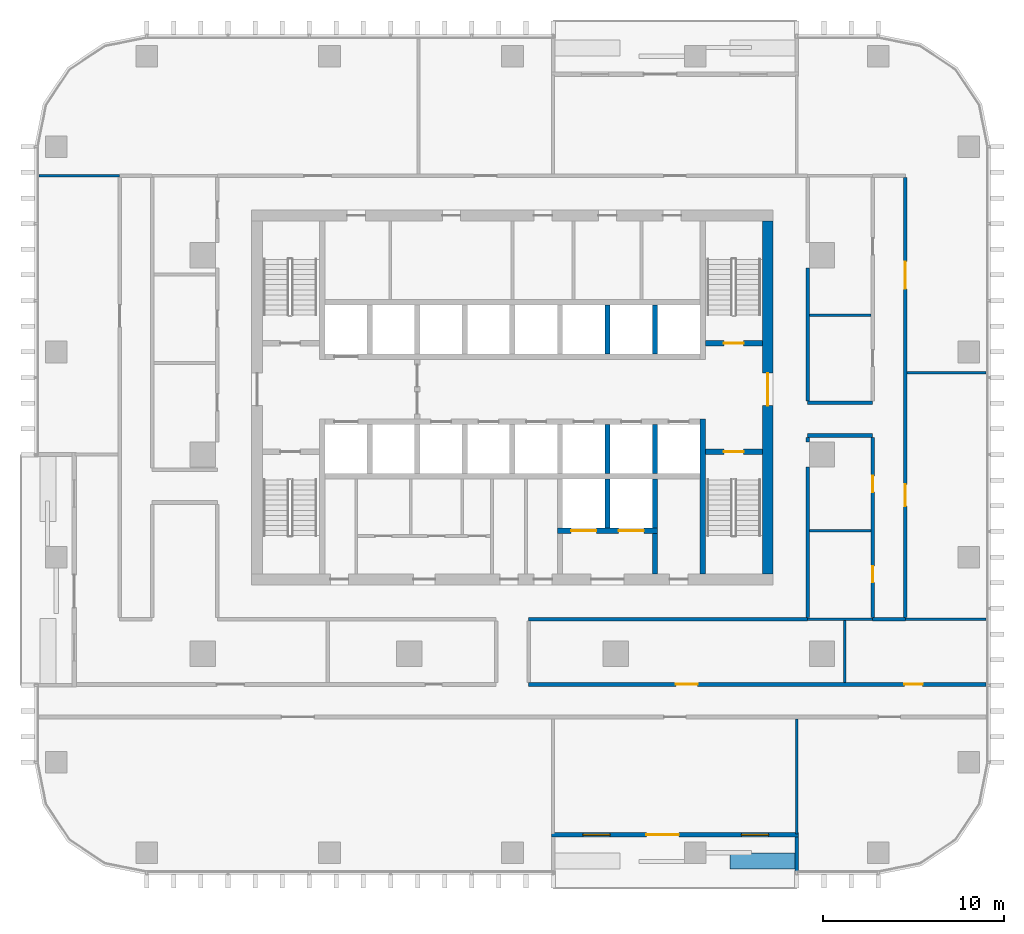
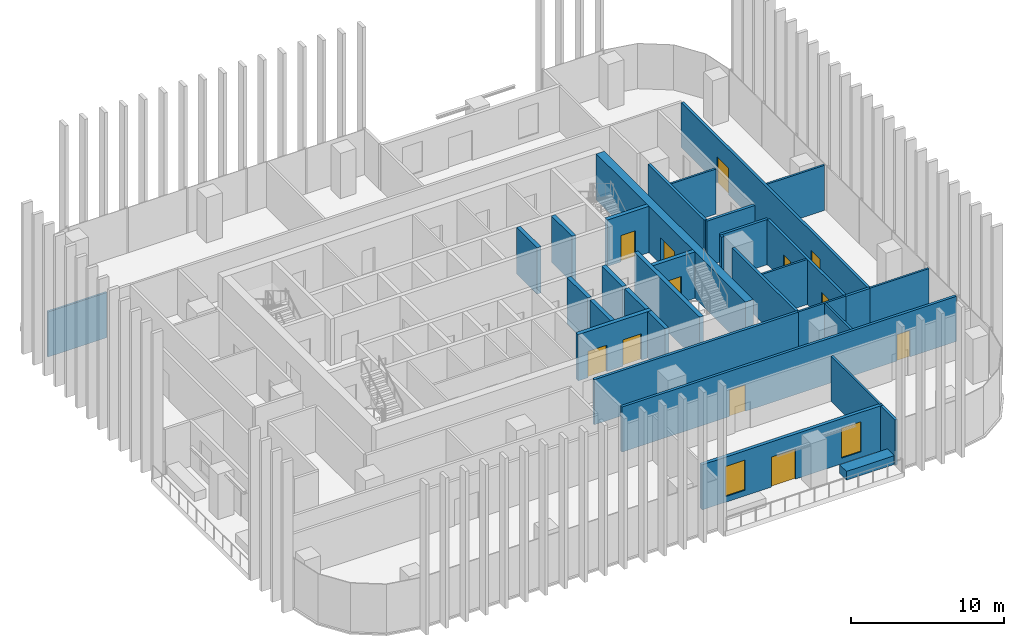
# One storey, part 9 of 16: 33 walls, 12 doors, 2 windows, 14 openings.
"""IFC4 building model written with IfcOpenShell, lengths in metres."""

from ifc_helpers import new_model, si_unit, direction, frame, frame_2d, origin, place, context, subcontext, project, spatial, rectangle, extrude, material, layer, layer_set, type_object, element, fill, save


model = new_model("IFC4")

# Units and contexts
model_context = context("Model", 3, precision=1e-05, world=origin(), true_north=direction((0.0, 1.0)))
body_context = subcontext(model_context, "Body", "Model", "MODEL_VIEW")
ifc_project = project(units=[si_unit("LENGTHUNIT", "METRE"), si_unit("AREAUNIT", "SQUARE_METRE"), si_unit("VOLUMEUNIT", "CUBIC_METRE"), si_unit("PLANEANGLEUNIT", "RADIAN"), si_unit("MASSUNIT", "GRAM", prefix="KILO")], contexts=[model_context])

# Site, building, storey
site_placement = place(None, origin())
site = spatial("IfcSite", under=ifc_project, at=site_placement, CompositionType="ELEMENT")
building_placement = place(site_placement, origin())
building = spatial("IfcBuilding", under=site, at=building_placement, Name="Mopane Tessera Tower", CompositionType="ELEMENT")
storey_placement = place(building_placement, frame((0.0, 0.0, 181.0)))
storey = spatial("IfcBuildingStorey", under=building, at=storey_placement, Name="L37", CompositionType="ELEMENT", Elevation=181.0)

# Wall, opening, door
ifc_material_1 = material(Name="Concrete C70/85", Category="concrete")
ifc_layer_1 = layer(ifc_material_1, 0.60009765625)
ifc_layer_set_1 = layer_set([ifc_layer_1], Name="Concrete C70/85")
wall_type_1 = type_object("IfcWallType", Name="Core shear wall 600 mm", PredefinedType="SHEAR", material=ifc_layer_set_1)
wall_1_placement = place(storey_placement, frame((14.10009765625, -6.60009765625, 0.0), z_axis=(0.0, 0.0, 1.0), x_axis=(0.0, 1.0, 0.0)))
wall_1 = element("IfcWall", 1, at=wall_1_placement, inside=storey, type_object=wall_type_1, Name="L37 Core wall east", PredefinedType="SHEAR", context=body_context, shape_type="SweptSolid", body=[
    extrude(rectangle(XDim=19.5, YDim=0.60009765625, at=frame_2d((9.75, 0.0))), origin(), (0.0, 0.0, 1.0), 3.699951171875),
])
opening_1_placement = place(wall_1_placement, frame((9.300048828125, 0.0, 0.0)))
opening_1 = element("IfcOpeningElement", 2, at=opening_1_placement, cuts=wall_1, Name="Opening SD2", PredefinedType="OPENING", context=body_context, shape_type="SweptSolid", body=[
    extrude(rectangle(XDim=1.800048828125, YDim=2.10009765625, at=frame_2d((0.89990234375, 1.050048828125))), frame((0.0, 0.31201171875, 0.0), z_axis=(0.0, -1.0, 0.0), x_axis=(1.0, 0.0, 0.0)), (0.0, 0.0, 1.0), 0.6240234375),
])
ifc_material_2 = material(Name="Steel fire door", Category="steel")
door_type_1 = type_object("IfcDoorType", Name="Core entrance double door 1800 x 2100", OperationType="DOUBLE_DOOR_SINGLE_SWING", PredefinedType="DOOR", material=ifc_material_2)
door_1_placement = place(opening_1_placement, origin())
door_1 = element("IfcDoor", 3, at=door_1_placement, inside=storey, type_object=door_type_1, Name="L37 Core entrance door east", OperationType="DOUBLE_DOOR_SINGLE_SWING", OverallHeight=2.10009765625, OverallWidth=1.800048828125, PredefinedType="DOOR", context=body_context, shape_type="SweptSolid", body=[
    extrude(rectangle(XDim=1.800048828125, YDim=2.10009765625, at=frame_2d((0.89990234375, 1.050048828125))), frame((0.0, 0.02490234375, 0.0), z_axis=(0.0, -1.0, 0.0), x_axis=(1.0, 0.0, 0.0)), (0.0, 0.0, 1.0), 0.050048828125),
])
fill(opening_1, door_1)

# Wall
ifc_material_3 = material(Name="Concrete C60/75", Category="concrete")
ifc_layer_2 = layer(ifc_material_3, 0.300048828125)
ifc_layer_set_2 = layer_set([ifc_layer_2], Name="Concrete C60/75")
wall_type_2 = type_object("IfcWallType", Name="Core spine wall 300 mm", PredefinedType="SHEAR", material=ifc_layer_set_2)
wall_2_placement = place(storey_placement, frame((10.5, -6.60009765625, 0.0), z_axis=(0.0, 0.0, 1.0), x_axis=(0.0, 1.0, 0.0)))
element("IfcWall", 4, at=wall_2_placement, inside=storey, type_object=wall_type_2, Name="L37 Core spine wall", PredefinedType="SHEAR", context=body_context, shape_type="SweptSolid", body=[
    extrude(rectangle(XDim=8.550048828125, YDim=0.300048828125, at=frame_2d((4.27490234375, 0.0))), origin(), (0.0, 0.0, 1.0), 3.699951171875),
])

# Wall, openings, doors
ifc_material_4 = material(Name="Gypsum board on steel studs, two layers each face, mineral wool infill", Category="steel")
ifc_layer_3 = layer(ifc_material_4, 0.199951171875)
ifc_layer_set_3 = layer_set([ifc_layer_3], Name="Gypsum board on steel studs, two layers each face, mineral wool infill")
wall_type_3 = type_object("IfcWallType", Name="Gypsum board corridor wall 200, rated EI 60", PredefinedType="PARTITIONING", material=ifc_layer_set_3)
wall_3_placement = place(storey_placement, frame((0.89990234375, -12.699951171875, 0.0), z_axis=(0.0, 0.0, 1.0), x_axis=(1.0, 0.0, 0.0)))
wall_3 = element("IfcWall", 5, at=wall_3_placement, inside=storey, type_object=wall_type_3, Name="Partition L37:002", PredefinedType="PARTITIONING", context=body_context, shape_type="SweptSolid", body=[
    extrude(rectangle(XDim=25.25, YDim=0.199951171875, at=frame_2d((12.625, 0.0))), origin(), (0.0, 0.0, 1.0), 3.60009765625),
])
opening_2_placement = place(wall_3_placement, frame((20.75, 0.0, 0.0)))
opening_2 = element("IfcOpeningElement", 6, at=opening_2_placement, cuts=wall_3, Name="Opening L37-09", PredefinedType="OPENING", context=body_context, shape_type="SweptSolid", body=[
    extrude(rectangle(XDim=1.0, YDim=2.10009765625, at=frame_2d((0.5, 1.050048828125))), frame((0.0, 0.112060546875, 0.0), z_axis=(0.0, -1.0, 0.0), x_axis=(1.0, 0.0, 0.0)), (0.0, 0.0, 1.0), 0.223876953125),
])
opening_3_placement = place(wall_3_placement, frame((8.125, 0.0, 0.0)))
opening_3 = element("IfcOpeningElement", 7, at=opening_3_placement, cuts=wall_3, Name="Opening L37-10", PredefinedType="OPENING", context=body_context, shape_type="SweptSolid", body=[
    extrude(rectangle(XDim=1.199951171875, YDim=2.10009765625, at=frame_2d((0.60009765625, 1.050048828125))), frame((0.0, 0.112060546875, 0.0), z_axis=(0.0, -1.0, 0.0), x_axis=(1.0, 0.0, 0.0)), (0.0, 0.0, 1.0), 0.223876953125),
])
ifc_material_5 = material(Name="Timber veneered steel-framed fire door", Category="steel")
door_type_2 = type_object("IfcDoorType", Name="Fire door FD60 1000 x 2100", OperationType="SINGLE_SWING_LEFT", PredefinedType="DOOR", material=ifc_material_5)
door_2_placement = place(opening_2_placement, origin())
door_2 = element("IfcDoor", 8, at=door_2_placement, inside=storey, type_object=door_type_2, Name="Door L37-09", ObjectType="D12A", OperationType="SINGLE_SWING_RIGHT", OverallHeight=2.10009765625, OverallWidth=1.0, PredefinedType="DOOR", context=body_context, shape_type="SweptSolid", body=[
    extrude(rectangle(XDim=1.0, YDim=2.10009765625, at=frame_2d((0.5, 1.050048828125))), frame((0.0, 0.02490234375, 0.0), z_axis=(0.0, -1.0, 0.0), x_axis=(1.0, 0.0, 0.0)), (0.0, 0.0, 1.0), 0.050048828125),
])
fill(opening_2, door_2)
ifc_material_6 = material(Name="Timber veneered steel-framed fire door", Category="steel")
door_type_3 = type_object("IfcDoorType", Name="Fire door FD60 1200 x 2100", OperationType="SINGLE_SWING_LEFT", PredefinedType="DOOR", material=ifc_material_6)
door_3_placement = place(opening_3_placement, origin())
door_3 = element("IfcDoor", 9, at=door_3_placement, inside=storey, type_object=door_type_3, Name="Door L37-10", ObjectType="D15A", OperationType="SINGLE_SWING_LEFT", OverallHeight=2.10009765625, OverallWidth=1.199951171875, PredefinedType="DOOR", context=body_context, shape_type="SweptSolid", body=[
    extrude(rectangle(XDim=1.199951171875, YDim=2.10009765625, at=frame_2d((0.60009765625, 1.050048828125))), frame((0.0, 0.02490234375, 0.0), z_axis=(0.0, -1.0, 0.0), x_axis=(1.0, 0.0, 0.0)), (0.0, 0.0, 1.0), 0.050048828125),
])
fill(opening_3, door_3)

# Walls
wall_4_placement = place(storey_placement, frame((0.89990234375, -9.10009765625, 0.0), z_axis=(0.0, 0.0, 1.0), x_axis=(1.0, 0.0, 0.0)))
element("IfcWall", 10, at=wall_4_placement, inside=storey, type_object=wall_type_3, Name="Partition L37:007", PredefinedType="PARTITIONING", context=body_context, shape_type="SweptSolid", body=[
    extrude(rectangle(XDim=15.400146484375, YDim=0.199951171875, at=frame_2d((7.7001953125, 0.0))), origin(), (0.0, 0.0, 1.0), 3.60009765625),
])
wall_5_placement = place(storey_placement, frame((19.89990234375, -9.10009765625, 0.0), z_axis=(0.0, 0.0, 1.0), x_axis=(1.0, 0.0, 0.0)))
element("IfcWall", 11, at=wall_5_placement, inside=storey, type_object=wall_type_3, Name="Partition L37:008", PredefinedType="PARTITIONING", context=body_context, shape_type="SweptSolid", body=[
    extrude(rectangle(XDim=1.800048828125, YDim=0.199951171875, at=frame_2d((0.89990234375, 0.0))), origin(), (0.0, 0.0, 1.0), 3.60009765625),
])
for number, where, z_axis, x_axis, name in (
    (12, (16.300048828125, 1.050048828125, 0.0), (0.0, 0.0, 1.0), (1.0, 0.0, 0.0), "Partition L37:013"),
    (13, (16.300048828125, 2.85009765625, 0.0), (0.0, 0.0, 1.0), (1.0, 0.0, 0.0), "Partition L37:014"),
):
    element("IfcWall", number, at=place(storey_placement, frame(where, z_axis=z_axis, x_axis=x_axis)), inside=storey, type_object=wall_type_3, Name=name, PredefinedType="PARTITIONING", context=body_context, shape_type="SweptSolid", body=[
        extrude(rectangle(XDim=3.599853515625, YDim=0.199951171875, at=frame_2d((1.7998046875, 0.0))), origin(), (0.0, 0.0, 1.0), 3.60009765625),
    ])
wall_6_placement = place(storey_placement, frame((16.300048828125, -9.0, 0.0), z_axis=(0.0, 0.0, 1.0), x_axis=(0.0, 1.0, 0.0)))
element("IfcWall", 14, at=wall_6_placement, inside=storey, type_object=wall_type_3, Name="Partition L37:039", PredefinedType="PARTITIONING", context=body_context, shape_type="SweptSolid", body=[
    extrude(rectangle(XDim=8.300048828125, YDim=0.199951171875, at=frame_2d((4.14990234375, 0.0))), origin(), (0.0, 0.0, 1.0), 3.60009765625),
])
wall_7_placement = place(storey_placement, frame((16.300048828125, 0.699951171875, 0.0), z_axis=(0.0, 0.0, 1.0), x_axis=(0.0, 1.0, 0.0)))
element("IfcWall", 15, at=wall_7_placement, inside=storey, type_object=wall_type_3, Name="Partition L37:040", PredefinedType="PARTITIONING", context=body_context, shape_type="SweptSolid", body=[
    extrude(rectangle(XDim=0.25, YDim=0.199951171875, at=frame_2d((0.125, 0.0))), origin(), (0.0, 0.0, 1.0), 3.60009765625),
])
wall_8_placement = place(storey_placement, frame((16.300048828125, 2.949951171875, 0.0), z_axis=(0.0, 0.0, 1.0), x_axis=(0.0, 1.0, 0.0)))
element("IfcWall", 16, at=wall_8_placement, inside=storey, type_object=wall_type_3, Name="Partition L37:041", PredefinedType="PARTITIONING", context=body_context, shape_type="SweptSolid", body=[
    extrude(rectangle(XDim=7.35009765625, YDim=0.199951171875, at=frame_2d((3.675048828125, 0.0))), origin(), (0.0, 0.0, 1.0), 3.60009765625),
])

# Wall, openings, doors
wall_9_placement = place(storey_placement, frame((19.89990234375, -9.0, 0.0), z_axis=(0.0, 0.0, 1.0), x_axis=(0.0, 1.0, 0.0)))
wall_9 = element("IfcWall", 17, at=wall_9_placement, inside=storey, type_object=wall_type_3, Name="Partition L37:044", PredefinedType="PARTITIONING", context=body_context, shape_type="SweptSolid", body=[
    extrude(rectangle(XDim=9.949951171875, YDim=0.199951171875, at=frame_2d((4.97509765625, 0.0))), origin(), (0.0, 0.0, 1.0), 3.60009765625),
])
opening_4_placement = place(wall_9_placement, frame((1.9423828125, 0.0, 0.0)))
opening_4 = element("IfcOpeningElement", 18, at=opening_4_placement, cuts=wall_9, Name="Opening L37-05", PredefinedType="OPENING", context=body_context, shape_type="SweptSolid", body=[
    extrude(rectangle(XDim=0.89990234375, YDim=2.10009765625, at=frame_2d((0.449951171875, 1.050048828125))), frame((0.0, 0.112060546875, 0.0), z_axis=(0.0, -1.0, 0.0), x_axis=(1.0, 0.0, 0.0)), (0.0, 0.0, 1.0), 0.223876953125),
])
opening_5_placement = place(wall_9_placement, frame((6.91748046875, 0.0, 0.0)))
opening_5 = element("IfcOpeningElement", 19, at=opening_5_placement, cuts=wall_9, Name="Opening L37-07", PredefinedType="OPENING", context=body_context, shape_type="SweptSolid", body=[
    extrude(rectangle(XDim=0.89990234375, YDim=2.10009765625, at=frame_2d((0.449951171875, 1.050048828125))), frame((0.0, 0.112060546875, 0.0), z_axis=(0.0, -1.0, 0.0), x_axis=(1.0, 0.0, 0.0)), (0.0, 0.0, 1.0), 0.223876953125),
])
ifc_material_7 = material(Name="Timber veneered steel-framed fire door", Category="steel")
door_type_4 = type_object("IfcDoorType", Name="Fire door FD60 900 x 2100", OperationType="SINGLE_SWING_LEFT", PredefinedType="DOOR", material=ifc_material_7)
door_4_placement = place(opening_4_placement, origin())
door_4 = element("IfcDoor", 20, at=door_4_placement, inside=storey, type_object=door_type_4, Name="Door L37-05", ObjectType="D10A", OperationType="SINGLE_SWING_RIGHT", OverallHeight=2.10009765625, OverallWidth=0.89990234375, PredefinedType="DOOR", context=body_context, shape_type="SweptSolid", body=[
    extrude(rectangle(XDim=0.89990234375, YDim=2.10009765625, at=frame_2d((0.449951171875, 1.050048828125))), frame((0.0, 0.02490234375, 0.0), z_axis=(0.0, -1.0, 0.0), x_axis=(1.0, 0.0, 0.0)), (0.0, 0.0, 1.0), 0.050048828125),
])
fill(opening_4, door_4)
door_5_placement = place(opening_5_placement, origin())
door_5 = element("IfcDoor", 21, at=door_5_placement, inside=storey, type_object=door_type_4, Name="Door L37-07", ObjectType="D10A", OperationType="SINGLE_SWING_RIGHT", OverallHeight=2.10009765625, OverallWidth=0.89990234375, PredefinedType="DOOR", context=body_context, shape_type="SweptSolid", body=[
    extrude(rectangle(XDim=0.89990234375, YDim=2.10009765625, at=frame_2d((0.449951171875, 1.050048828125))), frame((0.0, 0.02490234375, 0.0), z_axis=(0.0, -1.0, 0.0), x_axis=(1.0, 0.0, 0.0)), (0.0, 0.0, 1.0), 0.050048828125),
])
fill(opening_5, door_5)

wall_10_placement = place(storey_placement, frame((21.699951171875, -9.0, 0.0), z_axis=(0.0, 0.0, 1.0), x_axis=(0.0, 1.0, 0.0)))
wall_10 = element("IfcWall", 22, at=wall_10_placement, inside=storey, type_object=wall_type_3, Name="Partition L37:046", PredefinedType="PARTITIONING", context=body_context, shape_type="SweptSolid", body=[
    extrude(rectangle(XDim=24.300048828125, YDim=0.199951171875, at=frame_2d((12.14990234375, 0.0))), origin(), (0.0, 0.0, 1.0), 3.60009765625),
])
opening_6_placement = place(wall_10_placement, frame((18.155029296875, 0.0, 0.0)))
opening_6 = element("IfcOpeningElement", 23, at=opening_6_placement, cuts=wall_10, Name="Opening L37-02", PredefinedType="OPENING", context=body_context, shape_type="SweptSolid", body=[
    extrude(rectangle(XDim=1.5, YDim=2.10009765625, at=frame_2d((0.75, 1.050048828125))), frame((0.0, 0.112060546875, 0.0), z_axis=(0.0, -1.0, 0.0), x_axis=(1.0, 0.0, 0.0)), (0.0, 0.0, 1.0), 0.223876953125),
])
opening_7_placement = place(wall_10_placement, frame((6.155029296875, 0.0, 0.0)))
opening_7 = element("IfcOpeningElement", 24, at=opening_7_placement, cuts=wall_10, Name="Opening L37-16", PredefinedType="OPENING", context=body_context, shape_type="SweptSolid", body=[
    extrude(rectangle(XDim=1.199951171875, YDim=2.10009765625, at=frame_2d((0.60009765625, 1.050048828125))), frame((0.0, 0.112060546875, 0.0), z_axis=(0.0, -1.0, 0.0), x_axis=(1.0, 0.0, 0.0)), (0.0, 0.0, 1.0), 0.223876953125),
])
door_6_placement = place(opening_7_placement, origin())
door_6 = element("IfcDoor", 25, at=door_6_placement, inside=storey, type_object=door_type_3, Name="Door L37-16", ObjectType="D15A", OperationType="SINGLE_SWING_RIGHT", OverallHeight=2.10009765625, OverallWidth=1.199951171875, PredefinedType="DOOR", context=body_context, shape_type="SweptSolid", body=[
    extrude(rectangle(XDim=1.199951171875, YDim=2.10009765625, at=frame_2d((0.60009765625, 1.050048828125))), frame((0.0, 0.02490234375, 0.0), z_axis=(0.0, -1.0, 0.0), x_axis=(1.0, 0.0, 0.0)), (0.0, 0.0, 1.0), 0.050048828125),
])
fill(opening_7, door_6)
ifc_material_8 = material(Name="Timber veneered steel-framed fire door", Category="steel")
door_type_5 = type_object("IfcDoorType", Name="Fire door pair FD60 1500 x 2100", OperationType="DOUBLE_DOOR_SINGLE_SWING", PredefinedType="DOOR", material=ifc_material_8)
door_7_placement = place(opening_6_placement, origin())
door_7 = element("IfcDoor", 26, at=door_7_placement, inside=storey, type_object=door_type_5, Name="Door L37-02", ObjectType="D17A", OperationType="DOUBLE_DOOR_SINGLE_SWING", OverallHeight=2.10009765625, OverallWidth=1.5, PredefinedType="DOOR", context=body_context, shape_type="SweptSolid", body=[
    extrude(rectangle(XDim=1.5, YDim=2.10009765625, at=frame_2d((0.75, 1.050048828125))), frame((0.0, 0.02490234375, 0.0), z_axis=(0.0, -1.0, 0.0), x_axis=(1.0, 0.0, 0.0)), (0.0, 0.0, 1.0), 0.050048828125),
])
fill(opening_6, door_7)

# Walls
ifc_material_9 = material(Name="Gypsum board on steel studs, mineral wool infill", Category="steel")
ifc_layer_4 = layer(ifc_material_9, 0.14990234375)
ifc_layer_set_4 = layer_set([ifc_layer_4], Name="Gypsum board on steel studs, mineral wool infill")
wall_type_4 = type_object("IfcWallType", Name="Gypsum board partition 150, rated EI 60", PredefinedType="PARTITIONING", material=ifc_layer_set_4)
wall_11_placement = place(storey_placement, frame((16.300048828125, -9.10009765625, 0.0), z_axis=(0.0, 0.0, 1.0), x_axis=(1.0, 0.0, 0.0)))
element("IfcWall", 27, at=wall_11_placement, inside=storey, type_object=wall_type_4, Name="Partition L37:003", PredefinedType="PARTITIONING", context=body_context, shape_type="SweptSolid", body=[
    extrude(rectangle(XDim=3.599853515625, YDim=0.14990234375, at=frame_2d((1.7998046875, 0.0))), origin(), (0.0, 0.0, 1.0), 3.60009765625),
])
wall_12_placement = place(storey_placement, frame((21.699951171875, -9.10009765625, 0.0), z_axis=(0.0, 0.0, 1.0), x_axis=(1.0, 0.0, 0.0)))
element("IfcWall", 28, at=wall_12_placement, inside=storey, type_object=wall_type_4, Name="Partition L37:004", PredefinedType="PARTITIONING", context=body_context, shape_type="SweptSolid", body=[
    extrude(rectangle(XDim=4.449951171875, YDim=0.14990234375, at=frame_2d((2.22509765625, 0.0))), origin(), (0.0, 0.0, 1.0), 3.60009765625),
])
wall_13_placement = place(storey_placement, frame((16.39990234375, -4.215087890625, 0.0), z_axis=(0.0, 0.0, 1.0), x_axis=(1.0, 0.0, 0.0)))
element("IfcWall", 29, at=wall_13_placement, inside=storey, type_object=wall_type_4, Name="Partition L37:009", PredefinedType="PARTITIONING", context=body_context, shape_type="SweptSolid", body=[
    extrude(rectangle(XDim=3.400146484375, YDim=0.14990234375, at=frame_2d((1.7001953125, 0.0))), origin(), (0.0, 0.0, 1.0), 3.60009765625),
])
wall_14_placement = place(storey_placement, frame((21.800048828125, 4.510009765625, 0.0), z_axis=(0.0, 0.0, 1.0), x_axis=(1.0, 0.0, 0.0)))
element("IfcWall", 30, at=wall_14_placement, inside=storey, type_object=wall_type_4, Name="Partition L37:015", PredefinedType="PARTITIONING", context=body_context, shape_type="SweptSolid", body=[
    extrude(rectangle(XDim=4.349853515625, YDim=0.14990234375, at=frame_2d((2.1748046875, 0.0))), origin(), (0.0, 0.0, 1.0), 3.60009765625),
])
wall_15_placement = place(storey_placement, frame((16.39990234375, 7.68505859375, 0.0), z_axis=(0.0, 0.0, 1.0), x_axis=(1.0, 0.0, 0.0)))
element("IfcWall", 31, at=wall_15_placement, inside=storey, type_object=wall_type_4, Name="Partition L37:017", PredefinedType="PARTITIONING", context=body_context, shape_type="SweptSolid", body=[
    extrude(rectangle(XDim=3.400146484375, YDim=0.14990234375, at=frame_2d((1.7001953125, 0.0))), origin(), (0.0, 0.0, 1.0), 3.60009765625),
])
wall_16_placement = place(storey_placement, frame((-26.14990234375, 15.39990234375, 0.0), z_axis=(0.0, 0.0, 1.0), x_axis=(1.0, 0.0, 0.0)))
element("IfcWall", 32, at=wall_16_placement, inside=storey, type_object=wall_type_4, Name="Partition L37:019", PredefinedType="PARTITIONING", context=body_context, shape_type="SweptSolid", body=[
    extrude(rectangle(XDim=4.449951171875, YDim=0.14990234375, at=frame_2d((2.22509765625, 0.0))), origin(), (0.0, 0.0, 1.0), 3.60009765625),
])
wall_17_placement = place(storey_placement, frame((15.7099609375, -20.949951171875, 0.0), z_axis=(0.0, 0.0, 1.0), x_axis=(0.0, 1.0, 0.0)))
element("IfcWall", 33, at=wall_17_placement, inside=storey, type_object=wall_type_4, Name="Partition L37:037", PredefinedType="PARTITIONING", context=body_context, shape_type="SweptSolid", body=[
    extrude(rectangle(XDim=6.349853515625, YDim=0.14990234375, at=frame_2d((3.1748046875, 0.0))), origin(), (0.0, 0.0, 1.0), 3.60009765625),
])
wall_18_placement = place(storey_placement, frame((18.35009765625, -12.60009765625, 0.0), z_axis=(0.0, 0.0, 1.0), x_axis=(0.0, 1.0, 0.0)))
element("IfcWall", 34, at=wall_18_placement, inside=storey, type_object=wall_type_4, Name="Partition L37:043", PredefinedType="PARTITIONING", context=body_context, shape_type="SweptSolid", body=[
    extrude(rectangle(XDim=3.425048828125, YDim=0.14990234375, at=frame_2d((1.71240234375, 0.0))), origin(), (0.0, 0.0, 1.0), 3.60009765625),
])

# Wall, opening, door
ifc_material_10 = material(Name="Concrete C50/60", Category="concrete")
ifc_layer_5 = layer(ifc_material_10, 0.300048828125)
ifc_layer_set_5 = layer_set([ifc_layer_5], Name="Concrete C50/60")
wall_type_5 = type_object("IfcWallType", Name="Lift and stair shaft wall 300 mm", PredefinedType="SOLIDWALL", material=ifc_layer_set_5)
wall_19_placement = place(storey_placement, frame((10.64990234375, 0.14990234375, 0.0), z_axis=(0.0, 0.0, 1.0), x_axis=(1.0, 0.0, 0.0)))
wall_19 = element("IfcWall", 35, at=wall_19_placement, inside=storey, type_object=wall_type_5, Name="L37 Stair enclosure wall", PredefinedType="SOLIDWALL", context=body_context, shape_type="SweptSolid", body=[
    extrude(rectangle(XDim=3.150146484375, YDim=0.300048828125, at=frame_2d((1.5751953125, 0.0))), origin(), (0.0, 0.0, 1.0), 3.699951171875),
])
opening_8_placement = place(wall_19_placement, frame((1.02490234375, 0.0, 0.0)))
opening_8 = element("IfcOpeningElement", 36, at=opening_8_placement, cuts=wall_19, Name="Opening SD1", PredefinedType="OPENING", context=body_context, shape_type="SweptSolid", body=[
    extrude(rectangle(XDim=1.10009765625, YDim=2.10009765625, at=frame_2d((0.550048828125, 1.050048828125))), frame((0.0, 0.162109375, 0.0), z_axis=(0.0, -1.0, 0.0), x_axis=(1.0, 0.0, 0.0)), (0.0, 0.0, 1.0), 0.323974609375),
])
ifc_material_11 = material(Name="Steel fire door", Category="steel")
door_type_6 = type_object("IfcDoorType", Name="Stair fire door 1100 x 2100", OperationType="SINGLE_SWING_LEFT", PredefinedType="DOOR", material=ifc_material_11)
door_8_placement = place(opening_8_placement, origin())
door_8 = element("IfcDoor", 37, at=door_8_placement, inside=storey, type_object=door_type_6, Name="L37 Stair door ST3", OperationType="SINGLE_SWING_RIGHT", OverallHeight=2.10009765625, OverallWidth=1.10009765625, PredefinedType="DOOR", context=body_context, shape_type="SweptSolid", body=[
    extrude(rectangle(XDim=1.10009765625, YDim=2.10009765625, at=frame_2d((0.550048828125, 1.050048828125))), frame((0.0, 0.02490234375, 0.0), z_axis=(0.0, -1.0, 0.0), x_axis=(1.0, 0.0, 0.0)), (0.0, 0.0, 1.0), 0.050048828125),
])
fill(opening_8, door_8)

wall_20_placement = place(storey_placement, frame((10.64990234375, 6.14990234375, 0.0), z_axis=(0.0, 0.0, 1.0), x_axis=(1.0, 0.0, 0.0)))
wall_20 = element("IfcWall", 38, at=wall_20_placement, inside=storey, type_object=wall_type_5, Name="L37 Stair enclosure wall", PredefinedType="SOLIDWALL", context=body_context, shape_type="SweptSolid", body=[
    extrude(rectangle(XDim=3.150146484375, YDim=0.300048828125, at=frame_2d((1.5751953125, 0.0))), origin(), (0.0, 0.0, 1.0), 3.699951171875),
])
opening_9_placement = place(wall_20_placement, frame((1.02490234375, 0.0, 0.0)))
opening_9 = element("IfcOpeningElement", 39, at=opening_9_placement, cuts=wall_20, Name="Opening SD1", PredefinedType="OPENING", context=body_context, shape_type="SweptSolid", body=[
    extrude(rectangle(XDim=1.10009765625, YDim=2.10009765625, at=frame_2d((0.550048828125, 1.050048828125))), frame((0.0, 0.162109375, 0.0), z_axis=(0.0, -1.0, 0.0), x_axis=(1.0, 0.0, 0.0)), (0.0, 0.0, 1.0), 0.323974609375),
])
door_9_placement = place(opening_9_placement, origin())
door_9 = element("IfcDoor", 40, at=door_9_placement, inside=storey, type_object=door_type_6, Name="L37 Stair door ST4", OperationType="SINGLE_SWING_RIGHT", OverallHeight=2.10009765625, OverallWidth=1.10009765625, PredefinedType="DOOR", context=body_context, shape_type="SweptSolid", body=[
    extrude(rectangle(XDim=1.10009765625, YDim=2.10009765625, at=frame_2d((0.550048828125, 1.050048828125))), frame((0.0, 0.02490234375, 0.0), z_axis=(0.0, -1.0, 0.0), x_axis=(1.0, 0.0, 0.0)), (0.0, 0.0, 1.0), 0.050048828125),
])
fill(opening_9, door_9)

# Walls
for number, where, z_axis, x_axis, name in (
    (41, (5.25, -1.050048828125, 0.0), (0.0, 0.0, 1.0), (0.0, 1.0, 0.0), "L37 Lift shaft wall"),
    (42, (7.875, -1.050048828125, 0.0), (0.0, 0.0, 1.0), (0.0, 1.0, 0.0), "L37 Lift shaft wall"),
    (43, (5.25, 5.550048828125, 0.0), (0.0, 0.0, 1.0), (0.0, 1.0, 0.0), "L37 Lift shaft wall"),
    (44, (7.875, 5.550048828125, 0.0), (0.0, 0.0, 1.0), (0.0, 1.0, 0.0), "L37 Lift shaft wall"),
):
    element("IfcWall", number, at=place(storey_placement, frame(where, z_axis=z_axis, x_axis=x_axis)), inside=storey, type_object=wall_type_5, Name=name, PredefinedType="SOLIDWALL", context=body_context, shape_type="SweptSolid", body=[
        extrude(rectangle(XDim=2.699951171875, YDim=0.300048828125, at=frame_2d((1.35009765625, 0.0))), origin(), (0.0, 0.0, 1.0), 3.699951171875),
    ])

# Wall, openings, doors
wall_21_placement = place(storey_placement, frame((2.47509765625, -4.199951171875, 0.0), z_axis=(0.0, 0.0, 1.0), x_axis=(1.0, 0.0, 0.0)))
wall_21 = element("IfcWall", 45, at=wall_21_placement, inside=storey, type_object=wall_type_5, Name="L37 Lift shaft front wall", PredefinedType="SOLIDWALL", context=body_context, shape_type="SweptSolid", body=[
    extrude(rectangle(XDim=5.5498046875, YDim=0.300048828125, at=frame_2d((2.77490234375, 0.0))), origin(), (0.0, 0.0, 1.0), 3.699951171875),
])
opening_10_placement = place(wall_21_placement, frame((0.762451171875, 0.0, 0.0)))
opening_10 = element("IfcOpeningElement", 46, at=opening_10_placement, cuts=wall_21, Name="Opening LD3", PredefinedType="OPENING", context=body_context, shape_type="SweptSolid", body=[
    extrude(rectangle(XDim=1.39990234375, YDim=2.10009765625, at=frame_2d((0.699951171875, 1.050048828125))), frame((0.0, 0.162109375, 0.0), z_axis=(0.0, -1.0, 0.0), x_axis=(1.0, 0.0, 0.0)), (0.0, 0.0, 1.0), 0.323974609375),
])
opening_11_placement = place(wall_21_placement, frame((3.387451171875, 0.0, 0.0)))
opening_11 = element("IfcOpeningElement", 47, at=opening_11_placement, cuts=wall_21, Name="Opening LD3", PredefinedType="OPENING", context=body_context, shape_type="SweptSolid", body=[
    extrude(rectangle(XDim=1.39990234375, YDim=2.10009765625, at=frame_2d((0.699951171875, 1.050048828125))), frame((0.0, 0.162109375, 0.0), z_axis=(0.0, -1.0, 0.0), x_axis=(1.0, 0.0, 0.0)), (0.0, 0.0, 1.0), 0.323974609375),
])
ifc_material_12 = material(Name="Stainless steel sliding door", Category="steel")
door_type_7 = type_object("IfcDoorType", Name="Service lift landing door 1400 x 2100", OperationType="DOUBLE_DOOR_SLIDING", PredefinedType="DOOR", material=ifc_material_12)
door_10_placement = place(opening_10_placement, origin())
door_10 = element("IfcDoor", 48, at=door_10_placement, inside=storey, type_object=door_type_7, Name="L37 Lift landing door SV1", OperationType="DOUBLE_DOOR_SLIDING", OverallHeight=2.10009765625, OverallWidth=1.39990234375, PredefinedType="DOOR", context=body_context, shape_type="SweptSolid", body=[
    extrude(rectangle(XDim=1.39990234375, YDim=2.10009765625, at=frame_2d((0.699951171875, 1.050048828125))), frame((0.0, 0.02490234375, 0.0), z_axis=(0.0, -1.0, 0.0), x_axis=(1.0, 0.0, 0.0)), (0.0, 0.0, 1.0), 0.050048828125),
])
fill(opening_10, door_10)
door_11_placement = place(opening_11_placement, origin())
door_11 = element("IfcDoor", 49, at=door_11_placement, inside=storey, type_object=door_type_7, Name="L37 Lift landing door SV2", OperationType="DOUBLE_DOOR_SLIDING", OverallHeight=2.10009765625, OverallWidth=1.39990234375, PredefinedType="DOOR", context=body_context, shape_type="SweptSolid", body=[
    extrude(rectangle(XDim=1.39990234375, YDim=2.10009765625, at=frame_2d((0.699951171875, 1.050048828125))), frame((0.0, 0.02490234375, 0.0), z_axis=(0.0, -1.0, 0.0), x_axis=(1.0, 0.0, 0.0)), (0.0, 0.0, 1.0), 0.050048828125),
])
fill(opening_11, door_11)

# Walls
for number, where, z_axis, x_axis, name in (
    (50, (5.25, -4.050048828125, 0.0), (0.0, 0.0, 1.0), (0.0, 1.0, 0.0), "L37 Lift shaft wall"),
    (51, (7.875, -4.050048828125, 0.0), (0.0, 0.0, 1.0), (0.0, 1.0, 0.0), "L37 Lift shaft wall"),
):
    element("IfcWall", number, at=place(storey_placement, frame(where, z_axis=z_axis, x_axis=x_axis)), inside=storey, type_object=wall_type_5, Name=name, PredefinedType="SOLIDWALL", context=body_context, shape_type="SweptSolid", body=[
        extrude(rectangle(XDim=2.699951171875, YDim=0.300048828125, at=frame_2d((1.35009765625, 0.0))), origin(), (0.0, 0.0, 1.0), 3.699951171875),
    ])
ifc_material_13 = material(Name="Concrete C50/60", Category="concrete")
ifc_layer_6 = layer(ifc_material_13, 0.300048828125)
ifc_layer_set_6 = layer_set([ifc_layer_6], Name="Concrete C50/60")
wall_type_6 = type_object("IfcWallType", Name="Lobby and refuge room wall 300 mm", PredefinedType="SOLIDWALL", material=ifc_layer_set_6)
wall_22_placement = place(storey_placement, frame((7.875, -6.60009765625, 0.0), z_axis=(0.0, 0.0, 1.0), x_axis=(0.0, 1.0, 0.0)))
element("IfcWall", 52, at=wall_22_placement, inside=storey, type_object=wall_type_6, Name="L37 Service lobby wall", PredefinedType="SOLIDWALL", context=body_context, shape_type="SweptSolid", body=[
    extrude(rectangle(XDim=2.25, YDim=0.300048828125, at=frame_2d((1.125, 0.0))), origin(), (0.0, 0.0, 1.0), 3.699951171875),
])
ifc_material_14 = material(Name="Reinforced concrete C32/40 with waterproofing", Category="concrete")
ifc_layer_7 = layer(ifc_material_14, 0.89990234375)
ifc_layer_set_7 = layer_set([ifc_layer_7], Name="Reinforced concrete C32/40 with waterproofing")
wall_type_7 = type_object("IfcWallType", Name="Planter trough 3600 x 900", PredefinedType="STANDARD", material=ifc_layer_set_7)
wall_23_placement = place(storey_placement, frame((12.01123046875, -22.449951171875, 0.0), z_axis=(0.0, 0.0, 1.0), x_axis=(1.0, 0.0, 0.0)))
element("IfcWall", 53, at=wall_23_placement, inside=storey, type_object=wall_type_7, Name="e:nw:L37:N2:pl1", PredefinedType="STANDARD", context=body_context, shape_type="SweptSolid", body=[
    extrude(rectangle(XDim=3.599853515625, YDim=0.89990234375, at=frame_2d((1.7998046875, 0.0))), origin(), (0.0, 0.0, 1.0), 0.699951171875),
])
ifc_material_15 = material(Name="Blockwork with glazed tile facing", Category="masonry")
ifc_layer_8 = layer(ifc_material_15, 0.199951171875)
ifc_layer_set_8 = layer_set([ifc_layer_8], Name="Blockwork with glazed tile facing")
wall_type_8 = type_object("IfcWallType", Name="Terrace cheek wall 200", PredefinedType="STANDARD", material=ifc_layer_set_8)
wall_24_placement = place(storey_placement, frame((15.711181640625, -23.0, 0.0), z_axis=(0.0, 0.0, 1.0), x_axis=(0.0, 1.0, 0.0)))
element("IfcWall", 54, at=wall_24_placement, inside=storey, type_object=wall_type_8, Name="e:nw:L37:N2:cheekb", PredefinedType="STANDARD", context=body_context, shape_type="SweptSolid", body=[
    extrude(rectangle(XDim=1.875, YDim=0.199951171875, at=frame_2d((0.9375, 0.0))), origin(), (0.0, 0.0, 1.0), 3.60009765625),
])

# Wall, openings, windows, door
ifc_material_16 = material(Name="Blockwork with turquoise glazed tile facing", Category="masonry")
ifc_layer_9 = layer(ifc_material_16, 0.25)
ifc_layer_set_9 = layer_set([ifc_layer_9], Name="Blockwork with turquoise glazed tile facing")
wall_type_9 = type_object("IfcWallType", Name="Tile-clad external wall 250, turquoise", PredefinedType="STANDARD", material=ifc_layer_set_9)
wall_25_placement = place(storey_placement, frame((2.14453125, -21.0, 0.0), z_axis=(0.0, 0.0, 1.0), x_axis=(1.0, 0.0, 0.0)))
wall_25 = element("IfcWall", 55, at=wall_25_placement, inside=storey, type_object=wall_type_9, Name="e:nw:L37:N2:back", PredefinedType="STANDARD", context=body_context, shape_type="SweptSolid", body=[
    extrude(rectangle(XDim=13.66650390625, YDim=0.25, at=frame_2d((6.833251953125, 0.0))), origin(), (0.0, 0.0, 1.0), 3.60009765625),
])
opening_12_placement = place(wall_25_placement, frame((1.75, 0.0, 0.449951171875)))
opening_12 = element("IfcOpeningElement", 56, at=opening_12_placement, cuts=wall_25, Name="Opening NW372A", PredefinedType="OPENING", context=body_context, shape_type="SweptSolid", body=[
    extrude(rectangle(XDim=1.5, YDim=2.39990234375, at=frame_2d((0.75, 1.199951171875))), frame((0.0, 0.136962890625, 0.0), z_axis=(0.0, -1.0, 0.0), x_axis=(1.0, 0.0, 0.0)), (0.0, 0.0, 1.0), 0.27392578125),
])
opening_13_placement = place(wall_25_placement, frame((5.25, 0.0, 0.0)))
opening_13 = element("IfcOpeningElement", 57, at=opening_13_placement, cuts=wall_25, Name="Opening ND372", PredefinedType="OPENING", context=body_context, shape_type="SweptSolid", body=[
    extrude(rectangle(XDim=1.800048828125, YDim=2.39990234375, at=frame_2d((0.89990234375, 1.199951171875))), frame((0.0, 0.136962890625, 0.0), z_axis=(0.0, -1.0, 0.0), x_axis=(1.0, 0.0, 0.0)), (0.0, 0.0, 1.0), 0.27392578125),
])
opening_14_placement = place(wall_25_placement, frame((10.5, 0.0, 0.449951171875)))
opening_14 = element("IfcOpeningElement", 58, at=opening_14_placement, cuts=wall_25, Name="Opening NW372B", PredefinedType="OPENING", context=body_context, shape_type="SweptSolid", body=[
    extrude(rectangle(XDim=1.5, YDim=2.39990234375, at=frame_2d((0.75, 1.199951171875))), frame((0.0, 0.136962890625, 0.0), z_axis=(0.0, -1.0, 0.0), x_axis=(1.0, 0.0, 0.0)), (0.0, 0.0, 1.0), 0.27392578125),
])
ifc_material_17 = material(Name="Clear laminated glass", Category="glass")
window_type = type_object("IfcWindowType", Name="Fixed window 1500 x 2400", PartitioningType="SINGLE_PANEL", PredefinedType="WINDOW", material=ifc_material_17)
window_1_placement = place(opening_12_placement, origin())
window_1 = element("IfcWindow", 59, at=window_1_placement, inside=storey, type_object=window_type, Name="e:nw:L37:N2:win0", OverallHeight=2.39990234375, OverallWidth=1.5, PartitioningType="SINGLE_PANEL", PredefinedType="WINDOW", context=body_context, shape_type="SweptSolid", body=[
    extrude(rectangle(XDim=1.5, YDim=2.39990234375, at=frame_2d((0.75, 1.199951171875))), frame((0.0, 0.030029296875, 0.0), z_axis=(0.0, -1.0, 0.0), x_axis=(1.0, 0.0, 0.0)), (0.0, 0.0, 1.0), 0.06005859375),
])
fill(opening_12, window_1)
window_2_placement = place(opening_14_placement, origin())
window_2 = element("IfcWindow", 60, at=window_2_placement, inside=storey, type_object=window_type, Name="e:nw:L37:N2:win2", OverallHeight=2.39990234375, OverallWidth=1.5, PartitioningType="SINGLE_PANEL", PredefinedType="WINDOW", context=body_context, shape_type="SweptSolid", body=[
    extrude(rectangle(XDim=1.5, YDim=2.39990234375, at=frame_2d((0.75, 1.199951171875))), frame((0.0, 0.030029296875, 0.0), z_axis=(0.0, -1.0, 0.0), x_axis=(1.0, 0.0, 0.0)), (0.0, 0.0, 1.0), 0.06005859375),
])
fill(opening_14, window_2)
ifc_material_18 = material(Name="Aluminium and clear glass", Category="aluminium")
door_type_8 = type_object("IfcDoorType", Name="Terrace double door 1800 x 2400", OperationType="DOUBLE_DOOR_SINGLE_SWING", PredefinedType="DOOR", material=ifc_material_18)
door_12_placement = place(opening_13_placement, origin())
door_12 = element("IfcDoor", 61, at=door_12_placement, inside=storey, type_object=door_type_8, Name="e:nw:L37:N2:door", ObjectType="D1", OperationType="DOUBLE_DOOR_SINGLE_SWING", OverallHeight=2.39990234375, OverallWidth=1.800048828125, PredefinedType="DOOR", context=body_context, shape_type="SweptSolid", body=[
    extrude(rectangle(XDim=1.800048828125, YDim=2.39990234375, at=frame_2d((0.89990234375, 1.199951171875))), frame((0.0, 0.02490234375, 0.0), z_axis=(0.0, -1.0, 0.0), x_axis=(1.0, 0.0, 0.0)), (0.0, 0.0, 1.0), 0.050048828125),
])
fill(opening_13, door_12)

save(model, "model.ifc")
